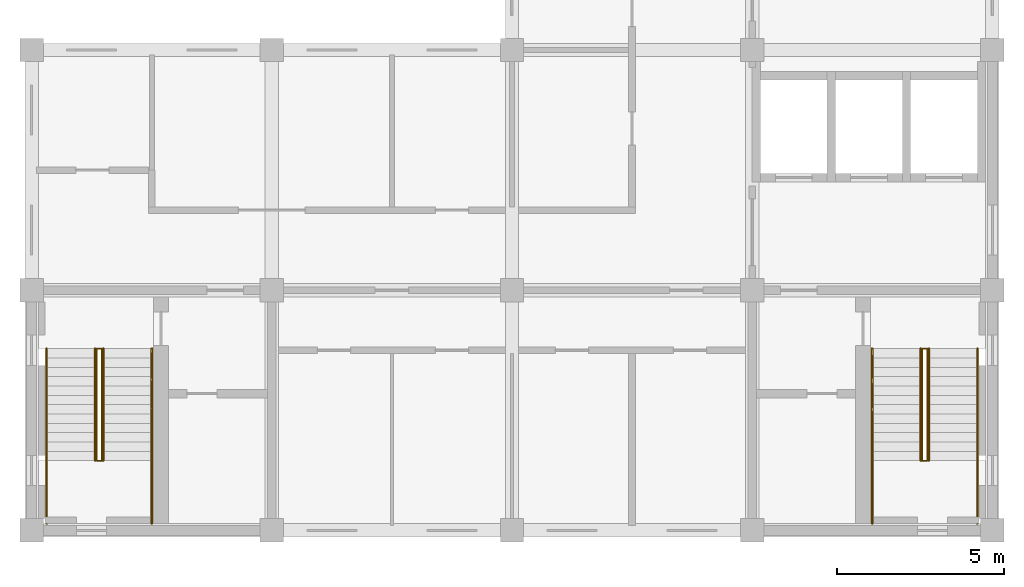
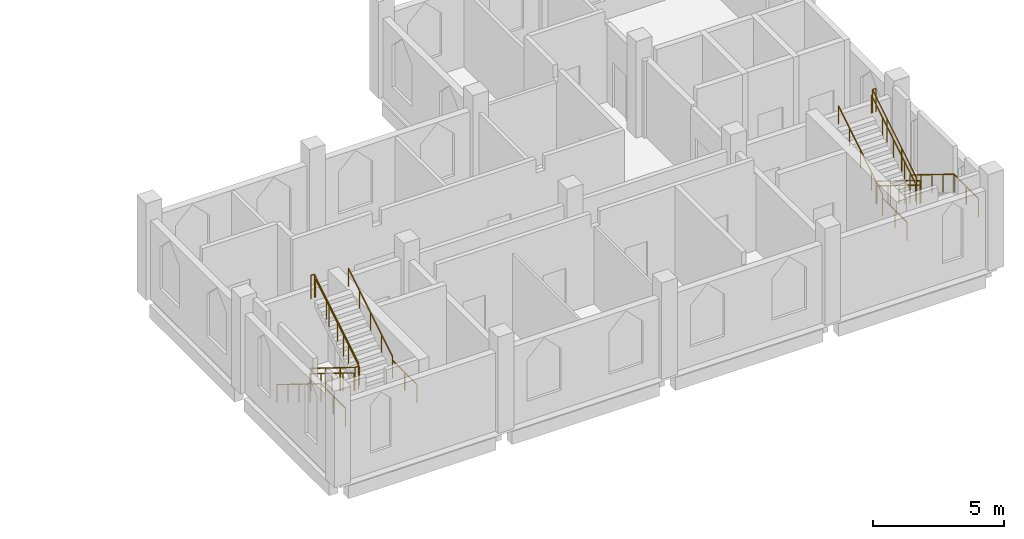
# One storey, part 5 of 5: 10 railings.
"""IFC4 building model written with IfcOpenShell, lengths in metres."""

from ifc_helpers import new_model, si_unit, direction, frame, origin, origin_2d, place, context, subcontext, project, spatial, circle, extrude, material, type_object, element, save


model = new_model("IFC4")

# Units and contexts
model_context = context("Model", 3, precision=1e-05, world=origin(), true_north=direction((0.0, 1.0)))
body_context = subcontext(model_context, "Body", "Model", "MODEL_VIEW")
ifc_project = project(units=[si_unit("LENGTHUNIT", "METRE"), si_unit("AREAUNIT", "SQUARE_METRE"), si_unit("VOLUMEUNIT", "CUBIC_METRE"), si_unit("PLANEANGLEUNIT", "RADIAN"), si_unit("MASSUNIT", "GRAM", prefix="KILO")], contexts=[model_context])

# Site, building, storey
site_placement = place(None, origin())
site = spatial("IfcSite", under=ifc_project, at=site_placement, CompositionType="ELEMENT")
building_placement = place(site_placement, origin())
building = spatial("IfcBuilding", under=site, at=building_placement, Name="Silangan Lancet Faculty of Sciences", CompositionType="ELEMENT")
storey_placement = place(building_placement, frame((0.0, 0.0, 63.300048828125)))
storey = spatial("IfcBuildingStorey", under=building, at=storey_placement, Name="L13", CompositionType="ELEMENT", Elevation=63.300048828125)

# Railings
ifc_material_1 = material(Name="Steel balustrade", Category="steel")
railing_type_1 = type_object("IfcRailingType", Name="STAIR GUARD 1100", PredefinedType="GUARDRAIL", material=ifc_material_1)
railing_1_placement = place(storey_placement, frame((1.949951171875, 5.449951171875, 0.173095703125)))
element("IfcRailing", 1, at=railing_1_placement, inside=storey, type_object=railing_type_1, Name="GUARD-ST-A-L13", PredefinedType="GUARDRAIL", context=body_context, shape_type="SweptSolid", body=[
    extrude(circle(Radius=0.02392578125, at=origin_2d()), frame((0.0, 0.0, 1.076171875), z_axis=(0.0, -0.850606129759, 0.525803396734), x_axis=(1.0, 0.0, 0.0)), (0.0, 0.0, 1.0), 3.949951171875),
    extrude(circle(Radius=0.02392578125, at=origin_2d()), frame((0.0, -3.35986328125, 3.15283203125), z_axis=(1.0, 0.0, 0.0), x_axis=(0.0, 1.0, 0.0)), (0.0, 0.0, 1.0), 0.150146484375),
    extrude(circle(Radius=0.02392578125, at=origin_2d()), frame((0.150146484375, -3.35986328125, 3.15283203125), z_axis=(0.0, 0.0, 1.0), x_axis=(1.0, 0.0, 0.0)), (0.0, 0.0, 1.0), 0.173095703125),
    extrude(circle(Radius=0.02392578125, at=origin_2d()), frame((0.150146484375, -3.35986328125, 3.326171875), z_axis=(0.0, 0.850606129759, 0.525803396734), x_axis=(-1.0, 0.0, 0.0)), (0.0, 0.0, 1.0), 3.949951171875),
    extrude(circle(Radius=0.02392578125, at=origin_2d()), frame((0.150146484375, 0.0, 5.40283203125), z_axis=(-1.0, 0.0, 0.0), x_axis=(0.0, -1.0, 0.0)), (0.0, 0.0, 1.0), 0.150146484375),
    extrude(circle(Radius=0.02099609375, at=origin_2d()), origin(), (0.0, 0.0, 1.0), 1.052001953125),
    extrude(circle(Radius=0.02099609375, at=origin_2d()), frame((0.0, -1.119873046875, 0.6923828125)), (0.0, 0.0, 1.0), 1.052001953125),
    extrude(circle(Radius=0.02099609375, at=origin_2d()), frame((0.0, -2.239990234375, 1.384521484375)), (0.0, 0.0, 1.0), 1.052001953125),
    extrude(circle(Radius=0.02099609375, at=origin_2d()), frame((0.0, -3.35986328125, 2.076904296875)), (0.0, 0.0, 1.0), 1.052001953125),
    extrude(circle(Radius=0.02099609375, at=origin_2d()), frame((0.150146484375, -3.35986328125, 2.076904296875)), (0.0, 0.0, 1.0), 1.052001953125),
    extrude(circle(Radius=0.02099609375, at=origin_2d()), frame((0.150146484375, -3.35986328125, 2.25)), (0.0, 0.0, 1.0), 1.052001953125),
    extrude(circle(Radius=0.02099609375, at=origin_2d()), frame((0.150146484375, -2.239990234375, 2.9423828125)), (0.0, 0.0, 1.0), 1.052001953125),
    extrude(circle(Radius=0.02099609375, at=origin_2d()), frame((0.150146484375, -1.119873046875, 3.634521484375)), (0.0, 0.0, 1.0), 1.052001953125),
    extrude(circle(Radius=0.02099609375, at=origin_2d()), frame((0.150146484375, 0.0, 4.326904296875)), (0.0, 0.0, 1.0), 1.052001953125),
    extrude(circle(Radius=0.02099609375, at=origin_2d()), frame((0.0, 0.0, 4.326904296875)), (0.0, 0.0, 1.0), 1.052001953125),
])
railing_2_placement = place(storey_placement, frame((26.85009765625, 5.449951171875, 0.173095703125)))
element("IfcRailing", 2, at=railing_2_placement, inside=storey, type_object=railing_type_1, Name="GUARD-ST-B-L13", PredefinedType="GUARDRAIL", context=body_context, shape_type="SweptSolid", body=[
    extrude(circle(Radius=0.02392578125, at=origin_2d()), frame((0.0, 0.0, 1.076171875), z_axis=(0.0, -0.850606129759, 0.525803396734), x_axis=(1.0, 0.0, 0.0)), (0.0, 0.0, 1.0), 3.949951171875),
    extrude(circle(Radius=0.02392578125, at=origin_2d()), frame((0.0, -3.35986328125, 3.15283203125), z_axis=(-1.0, 0.0, 0.0), x_axis=(0.0, -1.0, 0.0)), (0.0, 0.0, 1.0), 0.150146484375),
    extrude(circle(Radius=0.02392578125, at=origin_2d()), frame((-0.150146484375, -3.35986328125, 3.15283203125), z_axis=(0.0, 0.0, 1.0), x_axis=(1.0, 0.0, 0.0)), (0.0, 0.0, 1.0), 0.173095703125),
    extrude(circle(Radius=0.02392578125, at=origin_2d()), frame((-0.150146484375, -3.35986328125, 3.326171875), z_axis=(0.0, 0.850606129759, 0.525803396734), x_axis=(-1.0, 0.0, 0.0)), (0.0, 0.0, 1.0), 3.949951171875),
    extrude(circle(Radius=0.02392578125, at=origin_2d()), frame((-0.150146484375, 0.0, 5.40283203125), z_axis=(1.0, 0.0, 0.0), x_axis=(0.0, 1.0, 0.0)), (0.0, 0.0, 1.0), 0.150146484375),
    extrude(circle(Radius=0.02099609375, at=origin_2d()), origin(), (0.0, 0.0, 1.0), 1.052001953125),
    extrude(circle(Radius=0.02099609375, at=origin_2d()), frame((0.0, -1.119873046875, 0.6923828125)), (0.0, 0.0, 1.0), 1.052001953125),
    extrude(circle(Radius=0.02099609375, at=origin_2d()), frame((0.0, -2.239990234375, 1.384521484375)), (0.0, 0.0, 1.0), 1.052001953125),
    extrude(circle(Radius=0.02099609375, at=origin_2d()), frame((0.0, -3.35986328125, 2.076904296875)), (0.0, 0.0, 1.0), 1.052001953125),
    extrude(circle(Radius=0.02099609375, at=origin_2d()), frame((-0.150146484375, -3.35986328125, 2.076904296875)), (0.0, 0.0, 1.0), 1.052001953125),
    extrude(circle(Radius=0.02099609375, at=origin_2d()), frame((-0.150146484375, -3.35986328125, 2.25)), (0.0, 0.0, 1.0), 1.052001953125),
    extrude(circle(Radius=0.02099609375, at=origin_2d()), frame((-0.150146484375, -2.239990234375, 2.9423828125)), (0.0, 0.0, 1.0), 1.052001953125),
    extrude(circle(Radius=0.02099609375, at=origin_2d()), frame((-0.150146484375, -1.119873046875, 3.634521484375)), (0.0, 0.0, 1.0), 1.052001953125),
    extrude(circle(Radius=0.02099609375, at=origin_2d()), frame((-0.150146484375, 0.0, 4.326904296875)), (0.0, 0.0, 1.0), 1.052001953125),
    extrude(circle(Radius=0.02099609375, at=origin_2d()), frame((0.0, 0.0, 4.326904296875)), (0.0, 0.0, 1.0), 1.052001953125),
])
ifc_material_2 = material(Name="Stainless steel", Category="steel")
railing_type_2 = type_object("IfcRailingType", Name="STAIR HANDRAIL 865", PredefinedType="HANDRAIL", material=ifc_material_2)
railing_3_placement = place(storey_placement, frame((0.449951171875, 5.449951171875, 0.173095703125)))
element("IfcRailing", 3, at=railing_3_placement, inside=storey, type_object=railing_type_2, Name="HANDRAIL-ST-A-L13-O1", PredefinedType="HANDRAIL", context=body_context, shape_type="SweptSolid", body=[
    extrude(circle(Radius=0.02392578125, at=origin_2d()), frame((0.0, 0.0, 0.8408203125), z_axis=(0.0, -0.850654891397, 0.525724505556), x_axis=(1.0, 0.0, 0.0)), (0.0, 0.0, 1.0), 0.9873046875),
    extrude(circle(Radius=0.02392578125, at=origin_2d()), frame((0.0, -0.83984375, 1.35986328125), z_axis=(0.0, -0.85061266112, 0.525792830631), x_axis=(1.0, 0.0, 0.0)), (0.0, 0.0, 1.0), 0.987548828125),
    extrude(circle(Radius=0.02392578125, at=origin_2d()), frame((0.0, -1.679931640625, 1.87939453125), z_axis=(0.0, -0.85061266112, 0.525792830631), x_axis=(1.0, 0.0, 0.0)), (0.0, 0.0, 1.0), 0.987548828125),
    extrude(circle(Radius=0.02392578125, at=origin_2d()), frame((0.0, -2.52001953125, 2.3984375), z_axis=(0.0, -0.850544299321, 0.52590340833), x_axis=(1.0, 0.0, 0.0)), (0.0, 0.0, 1.0), 0.9873046875),
    extrude(circle(Radius=0.02392578125, at=origin_2d()), frame((0.0, -3.35986328125, 2.91796875), z_axis=(0.0, -1.0, 0.0), x_axis=(1.0, 0.0, 0.0)), (0.0, 0.0, 1.0), 1.89013671875),
    extrude(circle(Radius=0.02099609375, at=origin_2d()), origin(), (0.0, 0.0, 1.0), 0.81689453125),
    extrude(circle(Radius=0.02099609375, at=origin_2d()), frame((0.0, -0.83984375, 0.51904296875)), (0.0, 0.0, 1.0), 0.81689453125),
    extrude(circle(Radius=0.02099609375, at=origin_2d()), frame((0.0, -1.679931640625, 1.038330078125)), (0.0, 0.0, 1.0), 0.81689453125),
    extrude(circle(Radius=0.02099609375, at=origin_2d()), frame((0.0, -2.52001953125, 1.5576171875)), (0.0, 0.0, 1.0), 0.81689453125),
    extrude(circle(Radius=0.02099609375, at=origin_2d()), frame((0.0, -3.35986328125, 2.076904296875)), (0.0, 0.0, 1.0), 0.81689453125),
    extrude(circle(Radius=0.02099609375, at=origin_2d()), frame((0.0, -4.304931640625, 2.076904296875)), (0.0, 0.0, 1.0), 0.81689453125),
    extrude(circle(Radius=0.02099609375, at=origin_2d()), frame((0.0, -5.25, 2.076904296875)), (0.0, 0.0, 1.0), 0.81689453125),
])
railing_4_placement = place(storey_placement, frame((1.89990234375, 5.449951171875, 0.173095703125)))
element("IfcRailing", 4, at=railing_4_placement, inside=storey, type_object=railing_type_2, Name="HANDRAIL-ST-A-L13-I1", PredefinedType="HANDRAIL", context=body_context, shape_type="SweptSolid", body=[
    extrude(circle(Radius=0.02392578125, at=origin_2d()), frame((0.0, 0.0, 0.8408203125), z_axis=(0.0, -0.850654891397, 0.525724505556), x_axis=(1.0, 0.0, 0.0)), (0.0, 0.0, 1.0), 0.9873046875),
    extrude(circle(Radius=0.02392578125, at=origin_2d()), frame((0.0, -0.83984375, 1.35986328125), z_axis=(0.0, -0.85061266112, 0.525792830631), x_axis=(1.0, 0.0, 0.0)), (0.0, 0.0, 1.0), 0.987548828125),
    extrude(circle(Radius=0.02392578125, at=origin_2d()), frame((0.0, -1.679931640625, 1.87939453125), z_axis=(0.0, -0.85061266112, 0.525792830631), x_axis=(1.0, 0.0, 0.0)), (0.0, 0.0, 1.0), 0.987548828125),
    extrude(circle(Radius=0.02392578125, at=origin_2d()), frame((0.0, -2.52001953125, 2.3984375), z_axis=(0.0, -0.850544299321, 0.52590340833), x_axis=(1.0, 0.0, 0.0)), (0.0, 0.0, 1.0), 0.9873046875),
    extrude(circle(Radius=0.02099609375, at=origin_2d()), origin(), (0.0, 0.0, 1.0), 0.81689453125),
    extrude(circle(Radius=0.02099609375, at=origin_2d()), frame((0.0, -0.83984375, 0.51904296875)), (0.0, 0.0, 1.0), 0.81689453125),
    extrude(circle(Radius=0.02099609375, at=origin_2d()), frame((0.0, -1.679931640625, 1.038330078125)), (0.0, 0.0, 1.0), 0.81689453125),
    extrude(circle(Radius=0.02099609375, at=origin_2d()), frame((0.0, -2.52001953125, 1.5576171875)), (0.0, 0.0, 1.0), 0.81689453125),
    extrude(circle(Radius=0.02099609375, at=origin_2d()), frame((0.0, -3.35986328125, 2.076904296875)), (0.0, 0.0, 1.0), 0.81689453125),
])
railing_5_placement = place(storey_placement, frame((3.60009765625, 0.199951171875, 2.25)))
element("IfcRailing", 5, at=railing_5_placement, inside=storey, type_object=railing_type_2, Name="HANDRAIL-ST-A-L13-O2", PredefinedType="HANDRAIL", context=body_context, shape_type="SweptSolid", body=[
    extrude(circle(Radius=0.02392578125, at=origin_2d()), frame((0.0, 0.0, 0.8408203125), z_axis=(0.0, 1.0, 0.0), x_axis=(-1.0, 0.0, 0.0)), (0.0, 0.0, 1.0), 1.89013671875),
    extrude(circle(Radius=0.02392578125, at=origin_2d()), frame((0.0, 1.89013671875, 0.8408203125), z_axis=(0.0, 0.0, 1.0), x_axis=(1.0, 0.0, 0.0)), (0.0, 0.0, 1.0), 0.173095703125),
    extrude(circle(Radius=0.02392578125, at=origin_2d()), frame((0.0, 1.89013671875, 1.01416015625), z_axis=(0.0, 0.850654891397, 0.525724505556), x_axis=(-1.0, 0.0, 0.0)), (0.0, 0.0, 1.0), 0.9873046875),
    extrude(circle(Radius=0.02392578125, at=origin_2d()), frame((0.0, 2.72998046875, 1.533203125), z_axis=(0.0, 0.85061266112, 0.525792830631), x_axis=(-1.0, 0.0, 0.0)), (0.0, 0.0, 1.0), 0.987548828125),
    extrude(circle(Radius=0.02392578125, at=origin_2d()), frame((0.0, 3.570068359375, 2.05224609375), z_axis=(0.0, 0.85061266112, 0.525792830631), x_axis=(-1.0, 0.0, 0.0)), (0.0, 0.0, 1.0), 0.987548828125),
    extrude(circle(Radius=0.02392578125, at=origin_2d()), frame((0.0, 4.41015625, 2.57177734375), z_axis=(0.0, 0.850544299321, 0.52590340833), x_axis=(-1.0, 0.0, 0.0)), (0.0, 0.0, 1.0), 0.9873046875),
    extrude(circle(Radius=0.02099609375, at=origin_2d()), origin(), (0.0, 0.0, 1.0), 0.81689453125),
    extrude(circle(Radius=0.02099609375, at=origin_2d()), frame((0.0, 0.945068359375, 0.0)), (0.0, 0.0, 1.0), 0.81689453125),
    extrude(circle(Radius=0.02099609375, at=origin_2d()), frame((0.0, 1.89013671875, 0.0)), (0.0, 0.0, 1.0), 0.81689453125),
    extrude(circle(Radius=0.02099609375, at=origin_2d()), frame((0.0, 1.89013671875, 0.173095703125)), (0.0, 0.0, 1.0), 0.81689453125),
    extrude(circle(Radius=0.02099609375, at=origin_2d()), frame((0.0, 2.72998046875, 0.692138671875)), (0.0, 0.0, 1.0), 0.81689453125),
    extrude(circle(Radius=0.02099609375, at=origin_2d()), frame((0.0, 3.570068359375, 1.21142578125)), (0.0, 0.0, 1.0), 0.81689453125),
    extrude(circle(Radius=0.02099609375, at=origin_2d()), frame((0.0, 4.41015625, 1.730712890625)), (0.0, 0.0, 1.0), 0.81689453125),
    extrude(circle(Radius=0.02099609375, at=origin_2d()), frame((0.0, 5.25, 2.25)), (0.0, 0.0, 1.0), 0.81689453125),
])
railing_6_placement = place(storey_placement, frame((2.14990234375, 2.090087890625, 2.423095703125)))
element("IfcRailing", 6, at=railing_6_placement, inside=storey, type_object=railing_type_2, Name="HANDRAIL-ST-A-L13-I2", PredefinedType="HANDRAIL", context=body_context, shape_type="SweptSolid", body=[
    extrude(circle(Radius=0.02392578125, at=origin_2d()), frame((0.0, 0.0, 0.8408203125), z_axis=(0.0, 0.850654891397, 0.525724505556), x_axis=(-1.0, 0.0, 0.0)), (0.0, 0.0, 1.0), 0.9873046875),
    extrude(circle(Radius=0.02392578125, at=origin_2d()), frame((0.0, 0.83984375, 1.35986328125), z_axis=(0.0, 0.85061266112, 0.525792830631), x_axis=(-1.0, 0.0, 0.0)), (0.0, 0.0, 1.0), 0.987548828125),
    extrude(circle(Radius=0.02392578125, at=origin_2d()), frame((0.0, 1.679931640625, 1.87939453125), z_axis=(0.0, 0.85061266112, 0.525792830631), x_axis=(-1.0, 0.0, 0.0)), (0.0, 0.0, 1.0), 0.987548828125),
    extrude(circle(Radius=0.02392578125, at=origin_2d()), frame((0.0, 2.52001953125, 2.3984375), z_axis=(0.0, 0.850544299321, 0.52590340833), x_axis=(-1.0, 0.0, 0.0)), (0.0, 0.0, 1.0), 0.9873046875),
    extrude(circle(Radius=0.02099609375, at=origin_2d()), origin(), (0.0, 0.0, 1.0), 0.81689453125),
    extrude(circle(Radius=0.02099609375, at=origin_2d()), frame((0.0, 0.83984375, 0.51904296875)), (0.0, 0.0, 1.0), 0.81689453125),
    extrude(circle(Radius=0.02099609375, at=origin_2d()), frame((0.0, 1.679931640625, 1.038330078125)), (0.0, 0.0, 1.0), 0.81689453125),
    extrude(circle(Radius=0.02099609375, at=origin_2d()), frame((0.0, 2.52001953125, 1.5576171875)), (0.0, 0.0, 1.0), 0.81689453125),
    extrude(circle(Radius=0.02099609375, at=origin_2d()), frame((0.0, 3.35986328125, 2.076904296875)), (0.0, 0.0, 1.0), 0.81689453125),
])
railing_7_placement = place(storey_placement, frame((28.35009765625, 5.449951171875, 0.173095703125)))
element("IfcRailing", 7, at=railing_7_placement, inside=storey, type_object=railing_type_2, Name="HANDRAIL-ST-B-L13-O1", PredefinedType="HANDRAIL", context=body_context, shape_type="SweptSolid", body=[
    extrude(circle(Radius=0.02392578125, at=origin_2d()), frame((0.0, 0.0, 0.8408203125), z_axis=(0.0, -0.850654891397, 0.525724505556), x_axis=(1.0, 0.0, 0.0)), (0.0, 0.0, 1.0), 0.9873046875),
    extrude(circle(Radius=0.02392578125, at=origin_2d()), frame((0.0, -0.83984375, 1.35986328125), z_axis=(0.0, -0.85061266112, 0.525792830631), x_axis=(1.0, 0.0, 0.0)), (0.0, 0.0, 1.0), 0.987548828125),
    extrude(circle(Radius=0.02392578125, at=origin_2d()), frame((0.0, -1.679931640625, 1.87939453125), z_axis=(0.0, -0.85061266112, 0.525792830631), x_axis=(1.0, 0.0, 0.0)), (0.0, 0.0, 1.0), 0.987548828125),
    extrude(circle(Radius=0.02392578125, at=origin_2d()), frame((0.0, -2.52001953125, 2.3984375), z_axis=(0.0, -0.850544299321, 0.52590340833), x_axis=(1.0, 0.0, 0.0)), (0.0, 0.0, 1.0), 0.9873046875),
    extrude(circle(Radius=0.02392578125, at=origin_2d()), frame((0.0, -3.35986328125, 2.91796875), z_axis=(0.0, -1.0, 0.0), x_axis=(1.0, 0.0, 0.0)), (0.0, 0.0, 1.0), 1.89013671875),
    extrude(circle(Radius=0.02099609375, at=origin_2d()), origin(), (0.0, 0.0, 1.0), 0.81689453125),
    extrude(circle(Radius=0.02099609375, at=origin_2d()), frame((0.0, -0.83984375, 0.51904296875)), (0.0, 0.0, 1.0), 0.81689453125),
    extrude(circle(Radius=0.02099609375, at=origin_2d()), frame((0.0, -1.679931640625, 1.038330078125)), (0.0, 0.0, 1.0), 0.81689453125),
    extrude(circle(Radius=0.02099609375, at=origin_2d()), frame((0.0, -2.52001953125, 1.5576171875)), (0.0, 0.0, 1.0), 0.81689453125),
    extrude(circle(Radius=0.02099609375, at=origin_2d()), frame((0.0, -3.35986328125, 2.076904296875)), (0.0, 0.0, 1.0), 0.81689453125),
    extrude(circle(Radius=0.02099609375, at=origin_2d()), frame((0.0, -4.304931640625, 2.076904296875)), (0.0, 0.0, 1.0), 0.81689453125),
    extrude(circle(Radius=0.02099609375, at=origin_2d()), frame((0.0, -5.25, 2.076904296875)), (0.0, 0.0, 1.0), 0.81689453125),
])
railing_8_placement = place(storey_placement, frame((26.89990234375, 5.449951171875, 0.173095703125)))
element("IfcRailing", 8, at=railing_8_placement, inside=storey, type_object=railing_type_2, Name="HANDRAIL-ST-B-L13-I1", PredefinedType="HANDRAIL", context=body_context, shape_type="SweptSolid", body=[
    extrude(circle(Radius=0.02392578125, at=origin_2d()), frame((0.0, 0.0, 0.8408203125), z_axis=(0.0, -0.850654891397, 0.525724505556), x_axis=(1.0, 0.0, 0.0)), (0.0, 0.0, 1.0), 0.9873046875),
    extrude(circle(Radius=0.02392578125, at=origin_2d()), frame((0.0, -0.83984375, 1.35986328125), z_axis=(0.0, -0.85061266112, 0.525792830631), x_axis=(1.0, 0.0, 0.0)), (0.0, 0.0, 1.0), 0.987548828125),
    extrude(circle(Radius=0.02392578125, at=origin_2d()), frame((0.0, -1.679931640625, 1.87939453125), z_axis=(0.0, -0.85061266112, 0.525792830631), x_axis=(1.0, 0.0, 0.0)), (0.0, 0.0, 1.0), 0.987548828125),
    extrude(circle(Radius=0.02392578125, at=origin_2d()), frame((0.0, -2.52001953125, 2.3984375), z_axis=(0.0, -0.850544299321, 0.52590340833), x_axis=(1.0, 0.0, 0.0)), (0.0, 0.0, 1.0), 0.9873046875),
    extrude(circle(Radius=0.02099609375, at=origin_2d()), origin(), (0.0, 0.0, 1.0), 0.81689453125),
    extrude(circle(Radius=0.02099609375, at=origin_2d()), frame((0.0, -0.83984375, 0.51904296875)), (0.0, 0.0, 1.0), 0.81689453125),
    extrude(circle(Radius=0.02099609375, at=origin_2d()), frame((0.0, -1.679931640625, 1.038330078125)), (0.0, 0.0, 1.0), 0.81689453125),
    extrude(circle(Radius=0.02099609375, at=origin_2d()), frame((0.0, -2.52001953125, 1.5576171875)), (0.0, 0.0, 1.0), 0.81689453125),
    extrude(circle(Radius=0.02099609375, at=origin_2d()), frame((0.0, -3.35986328125, 2.076904296875)), (0.0, 0.0, 1.0), 0.81689453125),
])
railing_9_placement = place(storey_placement, frame((25.199951171875, 0.199951171875, 2.25)))
element("IfcRailing", 9, at=railing_9_placement, inside=storey, type_object=railing_type_2, Name="HANDRAIL-ST-B-L13-O2", PredefinedType="HANDRAIL", context=body_context, shape_type="SweptSolid", body=[
    extrude(circle(Radius=0.02392578125, at=origin_2d()), frame((0.0, 0.0, 0.8408203125), z_axis=(0.0, 1.0, 0.0), x_axis=(-1.0, 0.0, 0.0)), (0.0, 0.0, 1.0), 1.89013671875),
    extrude(circle(Radius=0.02392578125, at=origin_2d()), frame((0.0, 1.89013671875, 0.8408203125), z_axis=(0.0, 0.0, 1.0), x_axis=(1.0, 0.0, 0.0)), (0.0, 0.0, 1.0), 0.173095703125),
    extrude(circle(Radius=0.02392578125, at=origin_2d()), frame((0.0, 1.89013671875, 1.01416015625), z_axis=(0.0, 0.850654891397, 0.525724505556), x_axis=(-1.0, 0.0, 0.0)), (0.0, 0.0, 1.0), 0.9873046875),
    extrude(circle(Radius=0.02392578125, at=origin_2d()), frame((0.0, 2.72998046875, 1.533203125), z_axis=(0.0, 0.85061266112, 0.525792830631), x_axis=(-1.0, 0.0, 0.0)), (0.0, 0.0, 1.0), 0.987548828125),
    extrude(circle(Radius=0.02392578125, at=origin_2d()), frame((0.0, 3.570068359375, 2.05224609375), z_axis=(0.0, 0.85061266112, 0.525792830631), x_axis=(-1.0, 0.0, 0.0)), (0.0, 0.0, 1.0), 0.987548828125),
    extrude(circle(Radius=0.02392578125, at=origin_2d()), frame((0.0, 4.41015625, 2.57177734375), z_axis=(0.0, 0.850544299321, 0.52590340833), x_axis=(-1.0, 0.0, 0.0)), (0.0, 0.0, 1.0), 0.9873046875),
    extrude(circle(Radius=0.02099609375, at=origin_2d()), origin(), (0.0, 0.0, 1.0), 0.81689453125),
    extrude(circle(Radius=0.02099609375, at=origin_2d()), frame((0.0, 0.945068359375, 0.0)), (0.0, 0.0, 1.0), 0.81689453125),
    extrude(circle(Radius=0.02099609375, at=origin_2d()), frame((0.0, 1.89013671875, 0.0)), (0.0, 0.0, 1.0), 0.81689453125),
    extrude(circle(Radius=0.02099609375, at=origin_2d()), frame((0.0, 1.89013671875, 0.173095703125)), (0.0, 0.0, 1.0), 0.81689453125),
    extrude(circle(Radius=0.02099609375, at=origin_2d()), frame((0.0, 2.72998046875, 0.692138671875)), (0.0, 0.0, 1.0), 0.81689453125),
    extrude(circle(Radius=0.02099609375, at=origin_2d()), frame((0.0, 3.570068359375, 1.21142578125)), (0.0, 0.0, 1.0), 0.81689453125),
    extrude(circle(Radius=0.02099609375, at=origin_2d()), frame((0.0, 4.41015625, 1.730712890625)), (0.0, 0.0, 1.0), 0.81689453125),
    extrude(circle(Radius=0.02099609375, at=origin_2d()), frame((0.0, 5.25, 2.25)), (0.0, 0.0, 1.0), 0.81689453125),
])
railing_10_placement = place(storey_placement, frame((26.64990234375, 2.090087890625, 2.423095703125)))
element("IfcRailing", 10, at=railing_10_placement, inside=storey, type_object=railing_type_2, Name="HANDRAIL-ST-B-L13-I2", PredefinedType="HANDRAIL", context=body_context, shape_type="SweptSolid", body=[
    extrude(circle(Radius=0.02392578125, at=origin_2d()), frame((0.0, 0.0, 0.8408203125), z_axis=(0.0, 0.850654891397, 0.525724505556), x_axis=(-1.0, 0.0, 0.0)), (0.0, 0.0, 1.0), 0.9873046875),
    extrude(circle(Radius=0.02392578125, at=origin_2d()), frame((0.0, 0.83984375, 1.35986328125), z_axis=(0.0, 0.85061266112, 0.525792830631), x_axis=(-1.0, 0.0, 0.0)), (0.0, 0.0, 1.0), 0.987548828125),
    extrude(circle(Radius=0.02392578125, at=origin_2d()), frame((0.0, 1.679931640625, 1.87939453125), z_axis=(0.0, 0.85061266112, 0.525792830631), x_axis=(-1.0, 0.0, 0.0)), (0.0, 0.0, 1.0), 0.987548828125),
    extrude(circle(Radius=0.02392578125, at=origin_2d()), frame((0.0, 2.52001953125, 2.3984375), z_axis=(0.0, 0.850544299321, 0.52590340833), x_axis=(-1.0, 0.0, 0.0)), (0.0, 0.0, 1.0), 0.9873046875),
    extrude(circle(Radius=0.02099609375, at=origin_2d()), origin(), (0.0, 0.0, 1.0), 0.81689453125),
    extrude(circle(Radius=0.02099609375, at=origin_2d()), frame((0.0, 0.83984375, 0.51904296875)), (0.0, 0.0, 1.0), 0.81689453125),
    extrude(circle(Radius=0.02099609375, at=origin_2d()), frame((0.0, 1.679931640625, 1.038330078125)), (0.0, 0.0, 1.0), 0.81689453125),
    extrude(circle(Radius=0.02099609375, at=origin_2d()), frame((0.0, 2.52001953125, 1.5576171875)), (0.0, 0.0, 1.0), 0.81689453125),
    extrude(circle(Radius=0.02099609375, at=origin_2d()), frame((0.0, 3.35986328125, 2.076904296875)), (0.0, 0.0, 1.0), 0.81689453125),
])

save(model, "model.ifc")
